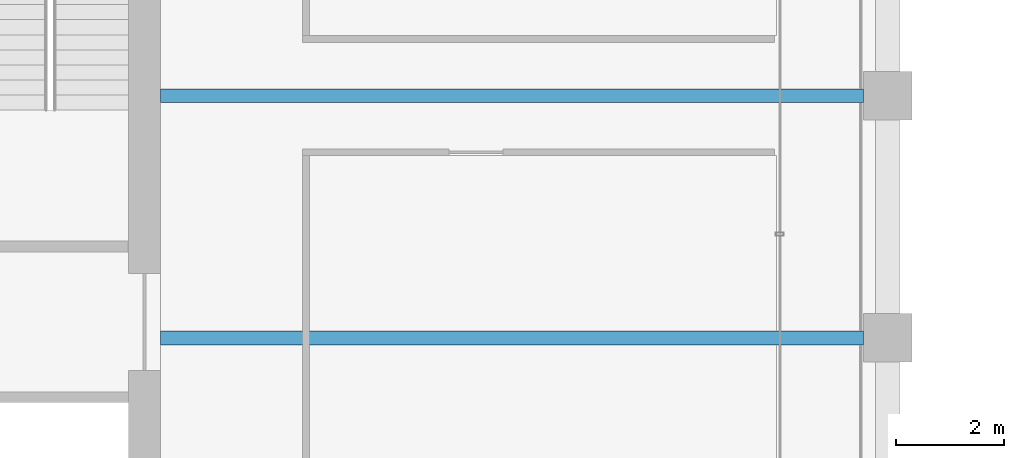
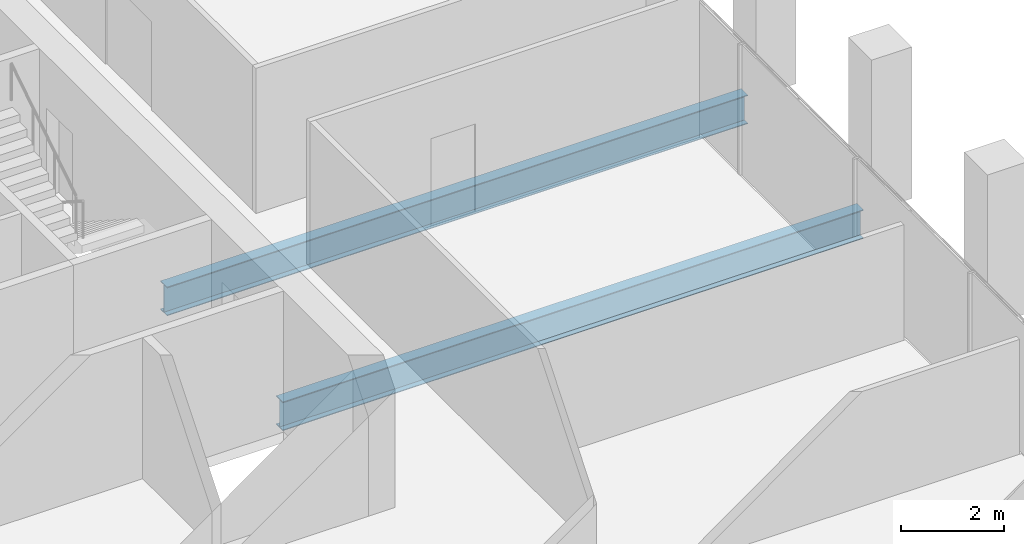
# One storey, part 16 of 40: 2 beams.
"""IFC4 building model written with IfcOpenShell, lengths in metres."""

from ifc_helpers import new_model, si_unit, direction, frame, origin, origin_2d, place, context, subcontext, project, spatial, i_section, extrude, material, material_profile, profile_set, type_object, element, save


model = new_model("IFC4")

# Units and contexts
model_context = context("Model", 3, precision=1e-05, world=origin(), true_north=direction((0.0, 1.0)))
body_context = subcontext(model_context, "Body", "Model", "MODEL_VIEW")
ifc_project = project(units=[si_unit("LENGTHUNIT", "METRE"), si_unit("AREAUNIT", "SQUARE_METRE"), si_unit("VOLUMEUNIT", "CUBIC_METRE"), si_unit("PLANEANGLEUNIT", "RADIAN"), si_unit("MASSUNIT", "GRAM", prefix="KILO")], contexts=[model_context])

# Site, building, storey
site_placement = place(None, origin())
site = spatial("IfcSite", under=ifc_project, at=site_placement, CompositionType="ELEMENT")
building_placement = place(site_placement, origin())
building = spatial("IfcBuilding", under=site, at=building_placement, Name="Altepetl Exchange Towers", CompositionType="ELEMENT")
storey_placement = place(building_placement, frame((0.0, 0.0, 183.39990234375)))
storey = spatial("IfcBuildingStorey", under=building, at=storey_placement, Name="L46", CompositionType="ELEMENT", Elevation=183.39990234375)

# Beams
ifc_material = material(Name="Steel S355", Category="steel")
ifc_material_profile = material_profile(ifc_material, i_section(OverallWidth=0.25390625, OverallDepth=0.68408203125, WebThickness=0.012451171875, FlangeThickness=0.018798828125, at=origin_2d()), Name="W27X94")
ifc_profile_set = profile_set([ifc_material_profile], Name="Steel S355")
beam_type = type_object("IfcBeamType", Name="Floor beam W27X94", PredefinedType="BEAM", material=ifc_profile_set)
for number, where, z_axis, x_axis, name in (
    (1, (58.5, 45.0, -0.491943359375), (1.0, 0.0, 0.0), (0.0, 1.0, 0.0), "bm:A:L46:009"),
    (2, (58.5, 49.5, -0.491943359375), (1.0, 0.0, 0.0), (0.0, 1.0, 0.0), "bm:A:L46:010"),
):
    element("IfcBeam", number, at=place(storey_placement, frame(where, z_axis=z_axis, x_axis=x_axis)), inside=storey, type_object=beam_type, Name=name, PredefinedType="BEAM", context=body_context, shape_type="SweptSolid", body=[
        extrude(i_section(OverallWidth=0.25390625, OverallDepth=0.68408203125, WebThickness=0.012451171875, FlangeThickness=0.018798828125, at=origin_2d()), origin(), (0.0, 0.0, 1.0), 13.050048828125),
    ])

save(model, "model.ifc")
